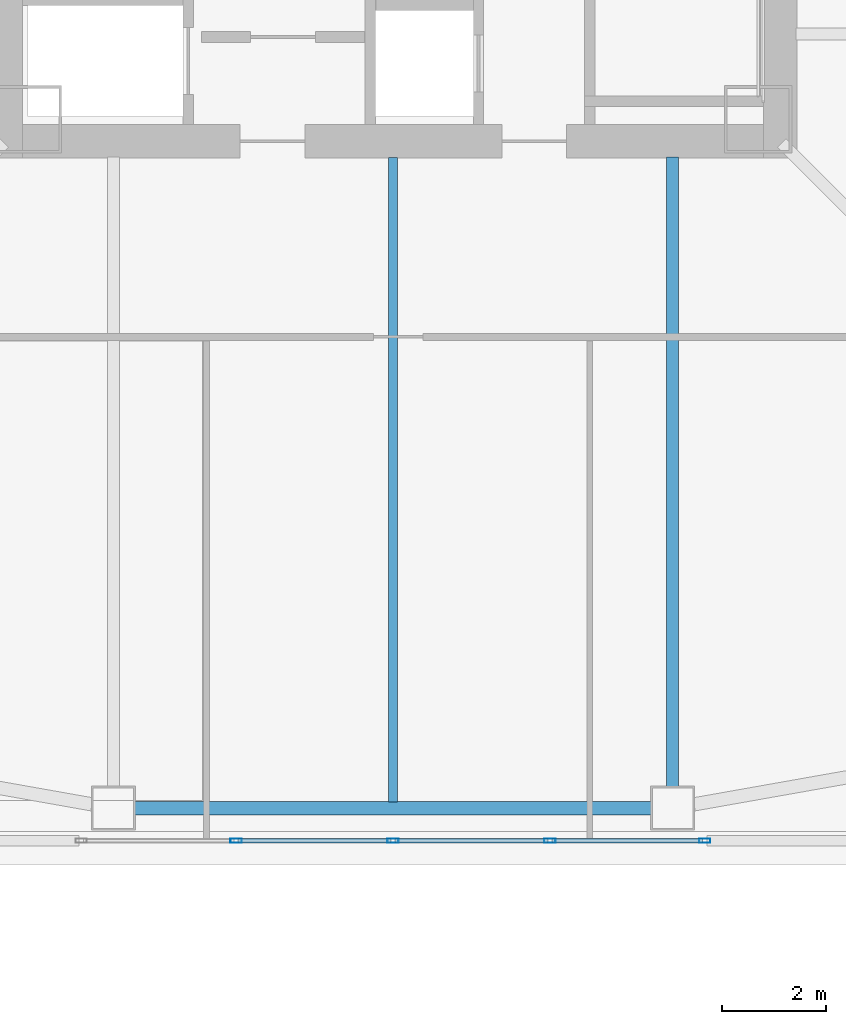
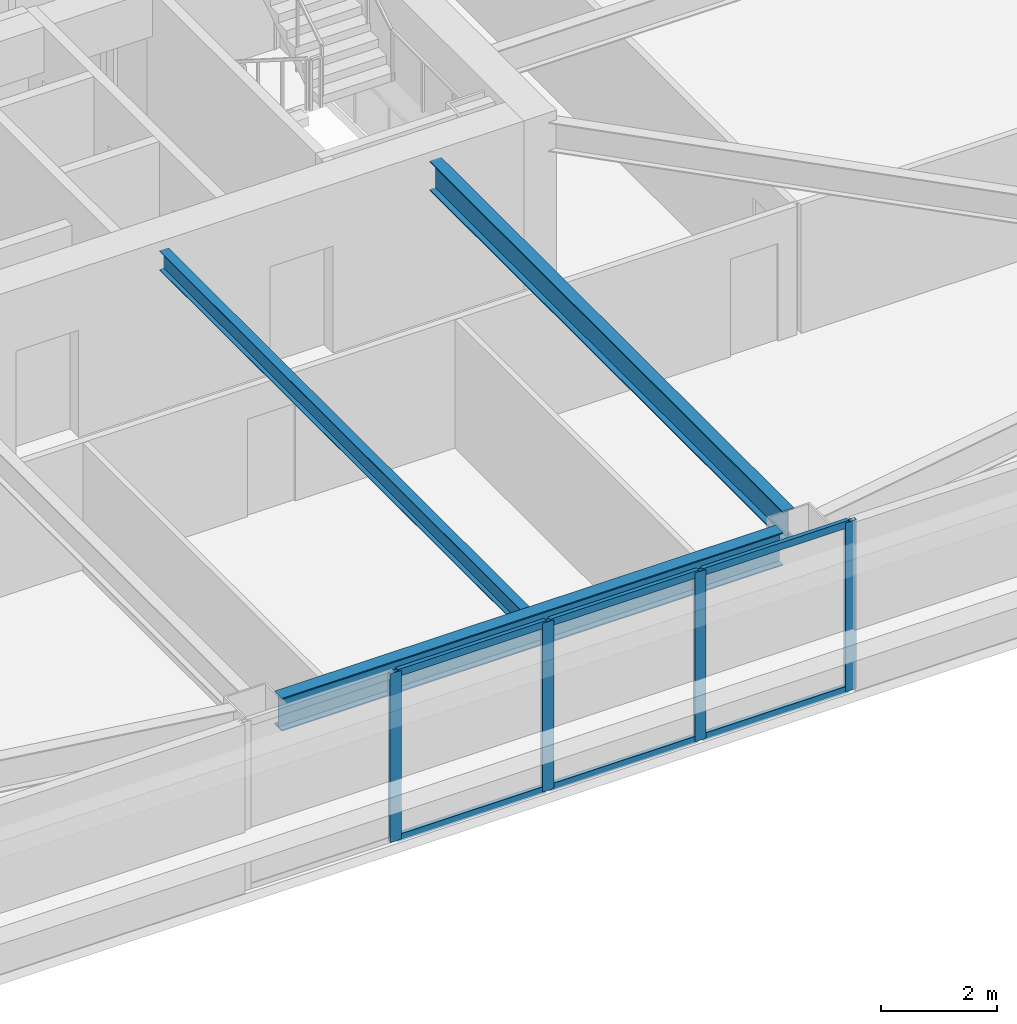
# One storey, part 5 of 44: 10 members, 3 beams, 1 element without a shape of its own.
"""IFC4 building model written with IfcOpenShell, lengths in metres."""

from ifc_helpers import new_model, si_unit, direction, frame, origin, origin_2d, place, context, subcontext, project, spatial, hollow_rectangle, i_section, extrude, material, material_profile, profile_set, type_object, element, aggregate, save


model = new_model("IFC4")

# Units and contexts
model_context = context("Model", 3, precision=1e-05, world=origin(), true_north=direction((0.0, 1.0)))
body_context = subcontext(model_context, "Body", "Model", "MODEL_VIEW")
ifc_project = project(units=[si_unit("LENGTHUNIT", "METRE"), si_unit("AREAUNIT", "SQUARE_METRE"), si_unit("VOLUMEUNIT", "CUBIC_METRE"), si_unit("PLANEANGLEUNIT", "RADIAN"), si_unit("MASSUNIT", "GRAM", prefix="KILO")], contexts=[model_context])

# Site, building, storey
site_placement = place(None, origin())
site = spatial("IfcSite", under=ifc_project, at=site_placement, CompositionType="ELEMENT")
building_placement = place(site_placement, origin())
building = spatial("IfcBuilding", under=site, at=building_placement, Name="Tashvorn Skyway Center", CompositionType="ELEMENT")
storey_placement = place(building_placement, frame((0.0, 0.0, 84.949951171875)))
storey = spatial("IfcBuildingStorey", under=building, at=storey_placement, Name="L22", CompositionType="ELEMENT", Elevation=84.949951171875)

# Beams
ifc_material_1 = material(Name="Steel ASTM A992 Grade 50", Category="steel")
ifc_material_profile_1 = material_profile(ifc_material_1, i_section(OverallWidth=0.22998046875, OverallDepth=0.616943359375, WebThickness=0.01318359375, FlangeThickness=0.022216796875, at=origin_2d()), Name="W24X94")
ifc_profile_set_1 = profile_set([ifc_material_profile_1], Name="Steel ASTM A992 Grade 50")
beam_type_1 = type_object("IfcBeamType", Name="BM-BEAM-W24X94", PredefinedType="BEAM", material=ifc_profile_set_1)
beam_1_placement = place(storey_placement, frame((47.39990234375, 12.070068359375, 3.04150390625), z_axis=(0.0, 1.0, 0.0), x_axis=(-1.0, 0.0, 0.0)))
element("IfcBeam", 1, at=beam_1_placement, inside=storey, type_object=beam_type_1, Name="Tower 1 L22 Primary Floor Girder FC-S2", PredefinedType="BEAM", context=body_context, shape_type="SweptSolid", body=[
    extrude(i_section(OverallWidth=0.22998046875, OverallDepth=0.616943359375, WebThickness=0.01318359375, FlangeThickness=0.022216796875, at=origin_2d()), origin(), (0.0, 0.0, 1.0), 12.14990234375),
])
ifc_material_profile_2 = material_profile(ifc_material_1, i_section(OverallWidth=0.177978515625, OverallDepth=0.406005859375, WebThickness=0.0078125, FlangeThickness=0.0126953125, at=origin_2d()), Name="W16X40")
ifc_profile_set_2 = profile_set([ifc_material_profile_2], Name="Steel ASTM A992 Grade 50")
beam_type_2 = type_object("IfcBeamType", Name="BM-JOIST-W16X40", PredefinedType="JOIST", material=ifc_profile_set_2)
beam_2_placement = place(storey_placement, frame((42.0, 24.2099609375, 3.14697265625), z_axis=(0.0, -1.0, 0.0), x_axis=(1.0, 0.0, 0.0)))
element("IfcBeam", 2, at=beam_2_placement, inside=storey, type_object=beam_type_2, Name="Tower 1 L22 Secondary Composite Joist JS", PredefinedType="JOIST", context=body_context, shape_type="SweptSolid", body=[
    extrude(i_section(OverallWidth=0.177978515625, OverallDepth=0.406005859375, WebThickness=0.0078125, FlangeThickness=0.0126953125, at=origin_2d()), origin(), (0.0, 0.0, 1.0), 12.43994140625),
])
ifc_material_profile_3 = material_profile(ifc_material_1, i_section(OverallWidth=0.256103515625, OverallDepth=0.693115234375, WebThickness=0.014404296875, FlangeThickness=0.023681640625, at=origin_2d()), Name="W27X114")
ifc_profile_set_3 = profile_set([ifc_material_profile_3], Name="Steel ASTM A992 Grade 50")
beam_type_3 = type_object("IfcBeamType", Name="BM-SPANDREL-W27X114", PredefinedType="SPANDREL", material=ifc_profile_set_3)
beam_3_placement = place(storey_placement, frame((37.02001953125, 11.64990234375, 3.003662109375), z_axis=(1.0, 0.0, 0.0), x_axis=(0.0, 1.0, 0.0)))
element("IfcBeam", 3, at=beam_3_placement, inside=storey, type_object=beam_type_3, Name="Tower 1 L22 Spandrel Beam 02", PredefinedType="SPANDREL", context=body_context, shape_type="SweptSolid", body=[
    extrude(i_section(OverallWidth=0.256103515625, OverallDepth=0.693115234375, WebThickness=0.014404296875, FlangeThickness=0.023681640625, at=origin_2d()), origin(), (0.0, 0.0, 1.0), 9.9599609375),
])

# Curtain wall, members
ifc_material_2 = material(Name="Thermally broken bronze-anodized aluminium 6063-T6", Category="aluminium")
curtain_wall_type = type_object("IfcCurtainWallType", Name="CW-CW-Z2", PredefinedType="NOTDEFINED", material=ifc_material_2)
curtain_wall_placement = place(storey_placement, origin())
curtain_wall = element("IfcCurtainWall", 4, at=curtain_wall_placement, inside=storey, type_object=curtain_wall_type, Name="Tower 1 L22 South Unitised Curtain Wall Glazing Group 2", PredefinedType="NOTDEFINED")
ifc_material_profile_4 = material_profile(ifc_material_2, hollow_rectangle(XDim=0.080078125, YDim=0.219970703125, WallThickness=0.0048828125, at=origin_2d()), Name="ALU-MULL-80x220")
ifc_profile_set_4 = profile_set([ifc_material_profile_4], Name="Thermally broken bronze-anodized aluminium 6063-T6")
member_type_1 = type_object("IfcMemberType", Name="CWM-CW-Z2", PredefinedType="MULLION", material=ifc_profile_set_4)
member_1_placement = place(storey_placement, frame((48.02001953125, 11.02001953125, 0.0), z_axis=(0.0, 0.0, 1.0), x_axis=(0.0, -1.0, 0.0)))
member_1 = element("IfcMember", 5, at=member_1_placement, type_object=member_type_1, Name="CW-Z2 mullion 1", PredefinedType="MULLION", context=body_context, shape_type="SweptSolid", body=[
    extrude(hollow_rectangle(XDim=0.080078125, YDim=0.219970703125, WallThickness=0.0048828125, at=origin_2d()), origin(), (0.0, 0.0, 1.0), 3.550048828125),
])
member_2_placement = place(storey_placement, frame((45.030029296875, 11.02001953125, 0.0), z_axis=(0.0, 0.0, 1.0), x_axis=(0.0, -1.0, 0.0)))
member_2 = element("IfcMember", 6, at=member_2_placement, type_object=member_type_1, Name="CW-Z2 mullion 2", PredefinedType="MULLION", context=body_context, shape_type="SweptSolid", body=[
    extrude(hollow_rectangle(XDim=0.080078125, YDim=0.219970703125, WallThickness=0.0048828125, at=origin_2d()), origin(), (0.0, 0.0, 1.0), 3.550048828125),
])
member_3_placement = place(storey_placement, frame((42.0, 11.02001953125, 0.0), z_axis=(0.0, 0.0, 1.0), x_axis=(0.0, -1.0, 0.0)))
member_3 = element("IfcMember", 7, at=member_3_placement, type_object=member_type_1, Name="CW-Z2 mullion 3", PredefinedType="MULLION", context=body_context, shape_type="SweptSolid", body=[
    extrude(hollow_rectangle(XDim=0.080078125, YDim=0.219970703125, WallThickness=0.0048828125, at=origin_2d()), origin(), (0.0, 0.0, 1.0), 3.550048828125),
])
member_4_placement = place(storey_placement, frame((38.969970703125, 11.02001953125, 0.0), z_axis=(0.0, 0.0, 1.0), x_axis=(0.0, -1.0, 0.0)))
member_4 = element("IfcMember", 8, at=member_4_placement, type_object=member_type_1, Name="CW-Z2 mullion 4", PredefinedType="MULLION", context=body_context, shape_type="SweptSolid", body=[
    extrude(hollow_rectangle(XDim=0.080078125, YDim=0.219970703125, WallThickness=0.0048828125, at=origin_2d()), origin(), (0.0, 0.0, 1.0), 3.550048828125),
])
ifc_material_profile_5 = material_profile(ifc_material_2, hollow_rectangle(XDim=0.080078125, YDim=0.14990234375, WallThickness=0.00439453125, at=origin_2d()), Name="ALU-TRAN-80x150")
ifc_profile_set_5 = profile_set([ifc_material_profile_5], Name="Thermally broken bronze-anodized aluminium 6063-T6")
member_type_2 = type_object("IfcMemberType", Name="CWT-CW-Z2", PredefinedType="USERDEFINED", material=ifc_profile_set_5)
member_5_placement = place(storey_placement, frame((47.97998046875, 11.02001953125, 0.0400390625), z_axis=(-1.0, 0.0, 0.0), x_axis=(0.0, -1.0, 0.0)))
member_5 = element("IfcMember", 9, at=member_5_placement, type_object=member_type_2, Name="CW-Z2 transom 1.1", ObjectType="TRANSOM", PredefinedType="USERDEFINED", context=body_context, shape_type="SweptSolid", body=[
    extrude(hollow_rectangle(XDim=0.080078125, YDim=0.14990234375, WallThickness=0.00439453125, at=origin_2d()), origin(), (0.0, 0.0, 1.0), 2.909912109375),
])
member_6_placement = place(storey_placement, frame((47.97998046875, 11.02001953125, 3.510009765625), z_axis=(-1.0, 0.0, 0.0), x_axis=(0.0, -1.0, 0.0)))
member_6 = element("IfcMember", 10, at=member_6_placement, type_object=member_type_2, Name="CW-Z2 transom 1.2", ObjectType="TRANSOM", PredefinedType="USERDEFINED", context=body_context, shape_type="SweptSolid", body=[
    extrude(hollow_rectangle(XDim=0.080078125, YDim=0.14990234375, WallThickness=0.00439453125, at=origin_2d()), origin(), (0.0, 0.0, 1.0), 2.909912109375),
])
member_7_placement = place(storey_placement, frame((44.989990234375, 11.02001953125, 0.0400390625), z_axis=(-1.0, 0.0, 0.0), x_axis=(0.0, -1.0, 0.0)))
member_7 = element("IfcMember", 11, at=member_7_placement, type_object=member_type_2, Name="CW-Z2 transom 2.1", ObjectType="TRANSOM", PredefinedType="USERDEFINED", context=body_context, shape_type="SweptSolid", body=[
    extrude(hollow_rectangle(XDim=0.080078125, YDim=0.14990234375, WallThickness=0.00439453125, at=origin_2d()), origin(), (0.0, 0.0, 1.0), 2.949951171875),
])
member_8_placement = place(storey_placement, frame((44.989990234375, 11.02001953125, 3.510009765625), z_axis=(-1.0, 0.0, 0.0), x_axis=(0.0, -1.0, 0.0)))
member_8 = element("IfcMember", 12, at=member_8_placement, type_object=member_type_2, Name="CW-Z2 transom 2.2", ObjectType="TRANSOM", PredefinedType="USERDEFINED", context=body_context, shape_type="SweptSolid", body=[
    extrude(hollow_rectangle(XDim=0.080078125, YDim=0.14990234375, WallThickness=0.00439453125, at=origin_2d()), origin(), (0.0, 0.0, 1.0), 2.949951171875),
])
member_9_placement = place(storey_placement, frame((41.9599609375, 11.02001953125, 0.0400390625), z_axis=(-1.0, 0.0, 0.0), x_axis=(0.0, -1.0, 0.0)))
member_9 = element("IfcMember", 13, at=member_9_placement, type_object=member_type_2, Name="CW-Z2 transom 3.1", ObjectType="TRANSOM", PredefinedType="USERDEFINED", context=body_context, shape_type="SweptSolid", body=[
    extrude(hollow_rectangle(XDim=0.080078125, YDim=0.14990234375, WallThickness=0.00439453125, at=origin_2d()), origin(), (0.0, 0.0, 1.0), 2.949951171875),
])
member_10_placement = place(storey_placement, frame((41.9599609375, 11.02001953125, 3.510009765625), z_axis=(-1.0, 0.0, 0.0), x_axis=(0.0, -1.0, 0.0)))
member_10 = element("IfcMember", 14, at=member_10_placement, type_object=member_type_2, Name="CW-Z2 transom 3.2", ObjectType="TRANSOM", PredefinedType="USERDEFINED", context=body_context, shape_type="SweptSolid", body=[
    extrude(hollow_rectangle(XDim=0.080078125, YDim=0.14990234375, WallThickness=0.00439453125, at=origin_2d()), origin(), (0.0, 0.0, 1.0), 2.949951171875),
])
aggregate(curtain_wall, [member_1, member_2, member_3, member_4, member_5, member_6, member_7, member_8, member_9, member_10])

save(model, "model.ifc")
